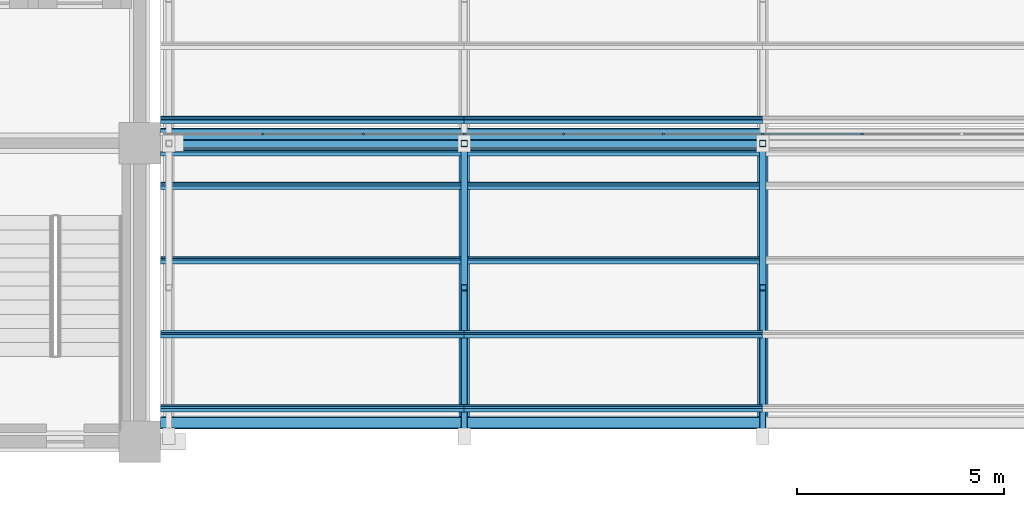
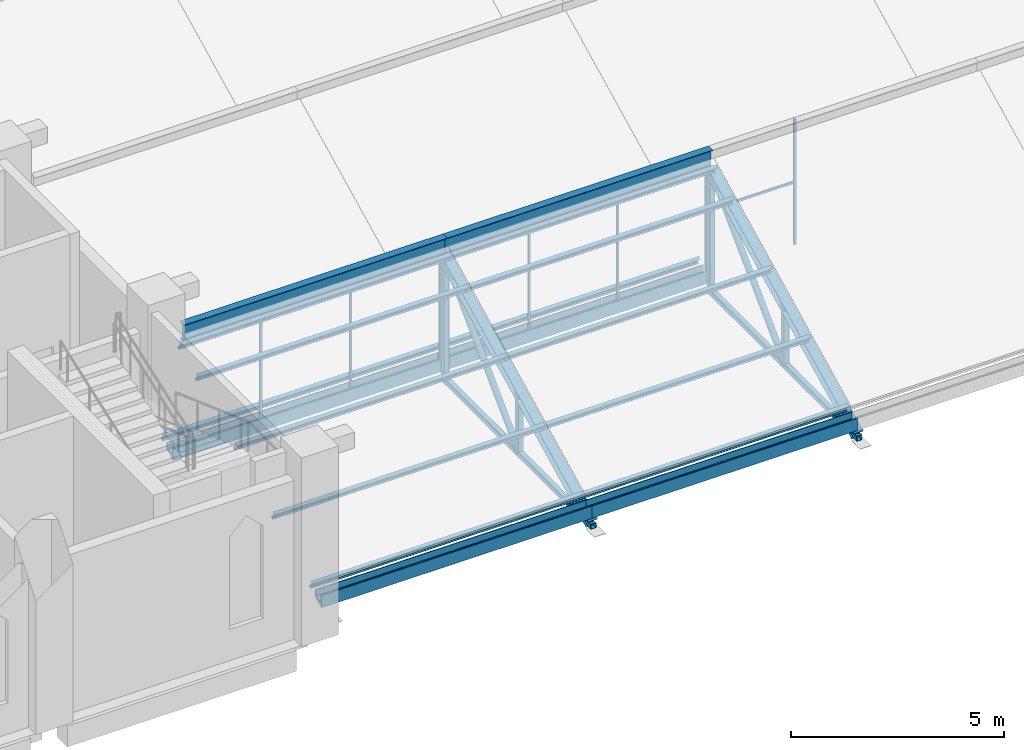
# One storey, part 9 of 83: 41 members, 3 elements without a shape of their own.
"""IFC4 building model written with IfcOpenShell, lengths in metres."""

import ifcopenshell
import ifcopenshell.guid

model = None  # the IFC model being written
_history = None  # IfcOwnerHistory: only IFC2X3 demands one
_inside = {}  # id of a spatial element -> (the spatial element, [elements in it])
_under = {}  # id of a project, library or spatial element -> (it, [spatial elements below it])
_declared = {}  # id of a project -> (the project, [libraries it declares])
_typed = {}  # id of a type object -> (the type object, [elements of that type])
_made_of = {}  # id of a material, layer set ... -> (it, [elements and type objects made of it])


def new_model(schema):
    """Start an empty IFC model of exactly this schema.

    Asked for "IFC4X3", IfcOpenShell would pick the latest addendum, in which some entities
    have other attributes; the version numbers below select the first issue.
    IFC2X3 requires an IfcOwnerHistory on every rooted entity: one is made here for all.
    """
    global model, _history
    if schema == "IFC4X3":
        model = ifcopenshell.file(schema_version=(4, 3, 0, 0))
    else:
        model = ifcopenshell.file(schema=schema)
    _inside.clear()
    _under.clear()
    _declared.clear()
    _typed.clear()
    _made_of.clear()
    _history = None
    if model.schema == "IFC2X3":
        org = make("IfcOrganization", Name="unknown")
        user = make(
            "IfcPersonAndOrganization",
            ThePerson=make("IfcPerson", FamilyName="unknown"),
            TheOrganization=org,
        )
        app = make(
            "IfcApplication",
            ApplicationDeveloper=org,
            Version="unknown",
            ApplicationFullName="unknown",
            ApplicationIdentifier="unknown",
        )
        _history = make(
            "IfcOwnerHistory",
            OwningUser=user,
            OwningApplication=app,
            ChangeAction="ADDED",
            CreationDate=0,
        )
    return model


def make(cls, **values):
    """One entity of the class cls with the attributes given. An attribute that is None is left unset."""
    return model.create_entity(
        cls, **{name: value for name, value in values.items() if value is not None}
    )


def rooted(cls, **values):
    """An entity with a GlobalId (a new one), such as an element, a storey or a relation."""
    return make(cls, GlobalId=ifcopenshell.guid.new(), OwnerHistory=_history, **values)


def si_unit(unit_type, name, prefix=None):
    """IfcSIUnit, for example si_unit("LENGTHUNIT", "METRE", prefix="MILLI")."""
    return make("IfcSIUnit", UnitType=unit_type, Prefix=prefix, Name=name)


def assignment(units):
    """IfcUnitAssignment: the units of a project."""
    return None if units is None else make("IfcUnitAssignment", Units=units)


def point(xyz):
    """IfcCartesianPoint."""
    return None if xyz is None else make("IfcCartesianPoint", Coordinates=xyz)


def direction(xyz):
    """IfcDirection."""
    return None if xyz is None else make("IfcDirection", DirectionRatios=xyz)


def frame(location, z_axis=None, x_axis=None):
    """IfcAxis2Placement3D, a coordinate frame: its origin and axes. An axis left out is left unset."""
    return make(
        "IfcAxis2Placement3D",
        Location=point(location),
        Axis=direction(z_axis),
        RefDirection=direction(x_axis),
    )


def frame_2d(location, x_axis=None):
    """IfcAxis2Placement2D, a coordinate frame in the plane: its origin and x axis."""
    return make(
        "IfcAxis2Placement2D", Location=point(location), RefDirection=direction(x_axis)
    )


def origin():
    """The frame at (0, 0, 0) with its axes left unset."""
    return frame((0.0, 0.0, 0.0))


def origin_2d():
    """The frame at (0, 0) in the plane with its x axis left unset."""
    return frame_2d((0.0, 0.0))


def place(relative_to, where):
    """IfcLocalPlacement: puts the frame where relative to a parent placement (None: the world)."""
    return make(
        "IfcLocalPlacement", PlacementRelTo=relative_to, RelativePlacement=where
    )


def context(
    kind, dimensions, precision=None, world=None, true_north=None, identifier=None
):
    """IfcGeometricRepresentationContext, for example the 3D "Model" context."""
    return make(
        "IfcGeometricRepresentationContext",
        ContextIdentifier=identifier,
        ContextType=kind,
        CoordinateSpaceDimension=dimensions,
        Precision=precision,
        WorldCoordinateSystem=world,
        TrueNorth=true_north,
    )


def subcontext(parent, identifier, kind, view, scale=None):
    """IfcGeometricRepresentationSubContext, for example "Body" below "Model"."""
    return make(
        "IfcGeometricRepresentationSubContext",
        ContextIdentifier=identifier,
        ContextType=kind,
        ParentContext=parent,
        TargetScale=scale,
        TargetView=view,
    )


def project(units=None, contexts=None):
    """IfcProject with its units and contexts."""
    return rooted(
        "IfcProject",
        Name="project",
        RepresentationContexts=contexts,
        UnitsInContext=assignment(units),
    )


def spatial(cls, under=None, at=None, **own):
    """A site, building, storey or space (cls), placed at a placement, below another one or the project."""
    s = rooted(cls, ObjectPlacement=at, **own)
    if under is not None:
        _under.setdefault(under.id(), (under, []))[1].append(s)
    return s


def polyline(points):
    """IfcPolyline through the points."""
    return make("IfcPolyline", Points=[point(p) for p in points])


def profile(cls, at=None, kind="AREA", **sizes):
    """A parametric profile (cls). Its sizes go by their IFC names, for example OverallWidth=200.0."""
    return make(cls, ProfileType=kind, Position=at, **sizes)


def rectangle(**sizes):
    """IfcRectangleProfileDef."""
    return profile("IfcRectangleProfileDef", **sizes)


def hollow_rectangle(**sizes):
    """IfcRectangleHollowProfileDef."""
    return profile("IfcRectangleHollowProfileDef", **sizes)


def hollow_circle(**sizes):
    """IfcCircleHollowProfileDef."""
    return profile("IfcCircleHollowProfileDef", **sizes)


def i_section(**sizes):
    """IfcIShapeProfileDef."""
    return profile("IfcIShapeProfileDef", **sizes)


def outline(outer, holes=None, kind="AREA"):
    """IfcArbitraryClosedProfileDef: a profile drawn as a closed curve; with holes, ...WithVoids."""
    if holes is None:
        return make("IfcArbitraryClosedProfileDef", ProfileType=kind, OuterCurve=outer)
    return make(
        "IfcArbitraryProfileDefWithVoids",
        ProfileType=kind,
        OuterCurve=outer,
        InnerCurves=holes,
    )


def extrude(swept, where, along, depth):
    """IfcExtrudedAreaSolid: the profile swept, set in the frame where, extruded along a direction by depth."""
    return make(
        "IfcExtrudedAreaSolid",
        SweptArea=swept,
        Position=where,
        ExtrudedDirection=direction(along),
        Depth=depth,
    )


def shape(context_of_items, identifier, shape_type, items):
    """IfcShapeRepresentation: the items that make up one representation, for example the "Body"."""
    return make(
        "IfcShapeRepresentation",
        ContextOfItems=context_of_items,
        RepresentationIdentifier=identifier,
        RepresentationType=shape_type,
        Items=items,
    )


def material(Name=None, Category=None):
    """IfcMaterial."""
    return make("IfcMaterial", Name=Name, Category=Category)


def material_profile(
    of_material, cross_section, Name=None, Category=None, Priority=None
):
    """IfcMaterialProfile: a cross section and its material."""
    return make(
        "IfcMaterialProfile",
        Name=Name,
        Material=of_material,
        Profile=cross_section,
        Priority=Priority,
        Category=Category,
    )


def profile_set(profiles, Name=None, composite=None):
    """IfcMaterialProfileSet."""
    return make(
        "IfcMaterialProfileSet",
        Name=Name,
        MaterialProfiles=profiles,
        CompositeProfile=composite,
    )


def made_of(thing, what):
    """Note that an element or type object is made of a material, layer set ...; save() writes the relation."""
    if what is not None:
        _made_of.setdefault(what.id(), (what, []))[1].append(thing)
    return thing


def type_object(cls, material=None, **own):
    """A type object (cls), such as IfcWallType, which elements share."""
    return made_of(rooted(cls, **own), material)


def element(
    cls,
    number,
    at=None,
    inside=None,
    cuts=None,
    type_object=None,
    material=None,
    context=None,
    identifier="Body",
    shape_type=None,
    held_by="IfcProductDefinitionShape",
    body=None,
    shapes=None,
    **own,
):
    """One element of the class cls, such as IfcWall. Its Tag is "e" and its number.

    at: its placement. inside: the storey or other place that contains it. cuts: it is an
    opening in that element (IfcRelVoidsElement). A single representation is given by context,
    identifier, shape_type and body (its items); several are given by shapes. held_by: the class
    of the entity that holds the representations. save() writes the other relations.
    """
    e = rooted(cls, Tag="e%d" % number, ObjectPlacement=at, **own)
    if body is not None:
        shapes = [shape(context, identifier, shape_type, body)]
    if shapes is not None:
        e.Representation = make(held_by, Representations=shapes)
    if inside is not None:
        _inside.setdefault(inside.id(), (inside, []))[1].append(e)
    if cuts is not None:
        rooted(
            "IfcRelVoidsElement", RelatingBuildingElement=cuts, RelatedOpeningElement=e
        )
    if type_object is not None:
        _typed.setdefault(type_object.id(), (type_object, []))[1].append(e)
    return made_of(e, material)


def aggregate(whole, parts):
    """IfcRelAggregates: a whole, such as a stair, and the parts it consists of."""
    return rooted("IfcRelAggregates", RelatingObject=whole, RelatedObjects=parts)


def save(model, path):
    """Write the relations noted so far, then the file.

    IfcRelAggregates (storeys below a building ...), IfcRelContainedInSpatialStructure (elements
    in a storey), IfcRelDefinesByType, IfcRelAssociatesMaterial and IfcRelDeclares: one each for
    every whole, place, type object, material and project.
    """
    for whole, parts in _under.values():
        aggregate(whole, parts)
    for where, things in _inside.values():
        rooted(
            "IfcRelContainedInSpatialStructure",
            RelatedElements=things,
            RelatingStructure=where,
        )
    for kind, things in _typed.values():
        rooted("IfcRelDefinesByType", RelatedObjects=things, RelatingType=kind)
    for what, things in _made_of.values():
        rooted("IfcRelAssociatesMaterial", RelatedObjects=things, RelatingMaterial=what)
    for by, libraries in _declared.values():
        rooted("IfcRelDeclares", RelatingContext=by, RelatedDefinitions=libraries)
    model.write(path)


model = new_model("IFC4")

# Units and contexts
model_context = context("Model", 3, precision=1e-05, world=origin(), true_north=direction((0.0, 1.0)))
body_context = subcontext(model_context, "Body", "Model", "MODEL_VIEW")
ifc_project = project(units=[si_unit("LENGTHUNIT", "METRE"), si_unit("AREAUNIT", "SQUARE_METRE"), si_unit("VOLUMEUNIT", "CUBIC_METRE"), si_unit("PLANEANGLEUNIT", "RADIAN"), si_unit("MASSUNIT", "GRAM", prefix="KILO")], contexts=[model_context])

# Site, building, storey
site_placement = place(None, origin())
site = spatial("IfcSite", under=ifc_project, at=site_placement, CompositionType="ELEMENT")
building_placement = place(site_placement, origin())
building = spatial("IfcBuilding", under=site, at=building_placement, Name="Silangan Lancet Faculty of Sciences", CompositionType="ELEMENT")
storey_placement = place(building_placement, frame((0.0, 0.0, 11.39990234375)))
storey = spatial("IfcBuildingStorey", under=building, at=storey_placement, Name="L02", CompositionType="ELEMENT", Elevation=11.39990234375)

# Members
ifc_material_1 = material(Name="Steel SS400", Category="steel")
ifc_material_profile_1 = material_profile(ifc_material_1, i_section(OverallWidth=0.199951171875, OverallDepth=0.5, WebThickness=0.010009765625, FlangeThickness=0.01611328125, FilletRadius=0.02001953125, at=origin_2d()), Name="H 500x200x10x16")
ifc_profile_set_1 = profile_set([ifc_material_profile_1], Name="Steel SS400")
member_type_1 = type_object("IfcMemberType", Name="Exposed ridge beam H 500x200x10x16", PredefinedType="MEMBER", material=ifc_profile_set_1)
member_1_placement = place(storey_placement, frame((29.5, 7.191650390625, 3.9326171875), z_axis=(1.0, 0.0, 0.0), x_axis=(0.0, 1.0, 0.0)))
element("IfcMember", 1, at=member_1_placement, inside=storey, type_object=member_type_1, Name="Exposed ridge beam SAB-1-1", PredefinedType="MEMBER", context=body_context, shape_type="SweptSolid", body=[
    extrude(i_section(OverallWidth=0.199951171875, OverallDepth=0.5, WebThickness=0.010009765625, FlangeThickness=0.01611328125, FilletRadius=0.02001953125, at=origin_2d()), origin(), (0.0, 0.0, 1.0), 7.125),
])
member_2_placement = place(storey_placement, frame((36.625, 7.191650390625, 3.9326171875), z_axis=(1.0, 0.0, 0.0), x_axis=(0.0, 1.0, 0.0)))
element("IfcMember", 2, at=member_2_placement, inside=storey, type_object=member_type_1, Name="Exposed ridge beam SAB-1-2", PredefinedType="MEMBER", context=body_context, shape_type="SweptSolid", body=[
    extrude(i_section(OverallWidth=0.199951171875, OverallDepth=0.5, WebThickness=0.010009765625, FlangeThickness=0.01611328125, FilletRadius=0.02001953125, at=origin_2d()), origin(), (0.0, 0.0, 1.0), 7.199951171875),
])

# Curtain wall, members
ifc_material_2 = material(Name="Aluminium and laminated glass", Category="aluminium")
curtain_wall_type = type_object("IfcCurtainWallType", Name="North light glazing system", PredefinedType="NOTDEFINED", material=ifc_material_2)
curtain_wall_1_placement = place(storey_placement, origin())
curtain_wall_1 = element("IfcCurtainWall", 3, at=curtain_wall_1_placement, inside=storey, type_object=curtain_wall_type, Name="North light glazing SAB-1-1", PredefinedType="NOTDEFINED")
ifc_material_3 = material(Name="Aluminium 6063-T6", Category="aluminium")
ifc_material_profile_2 = material_profile(ifc_material_3, rectangle(XDim=0.06005859375, YDim=0.050048828125, at=origin_2d()), Name="AL 60x50")
ifc_profile_set_2 = profile_set([ifc_material_profile_2], Name="Aluminium 6063-T6")
member_type_2 = type_object("IfcMemberType", Name="North light mullion 60x50", PredefinedType="MULLION", material=ifc_profile_set_2)
member_3_placement = place(storey_placement, frame((31.76171875, 7.416748046875, 0.4423828125), z_axis=(0.0, 0.0, 1.0), x_axis=(1.0, 0.0, 0.0)))
member_3 = element("IfcMember", 4, at=member_3_placement, type_object=member_type_2, Name="North light mullion SAB-1-1 2", PredefinedType="MULLION", context=body_context, shape_type="SweptSolid", body=[
    extrude(rectangle(XDim=0.06005859375, YDim=0.050048828125, at=origin_2d()), origin(), (0.0, 0.0, 1.0), 3.595947265625),
])
member_4_placement = place(storey_placement, frame((34.193359375, 7.416748046875, 0.4423828125), z_axis=(0.0, 0.0, 1.0), x_axis=(1.0, 0.0, 0.0)))
member_4 = element("IfcMember", 5, at=member_4_placement, type_object=member_type_2, Name="North light mullion SAB-1-1 3", PredefinedType="MULLION", context=body_context, shape_type="SweptSolid", body=[
    extrude(rectangle(XDim=0.06005859375, YDim=0.050048828125, at=origin_2d()), origin(), (0.0, 0.0, 1.0), 3.595947265625),
])

curtain_wall_2_placement = place(storey_placement, origin())
curtain_wall_2 = element("IfcCurtainWall", 6, at=curtain_wall_2_placement, inside=storey, type_object=curtain_wall_type, Name="North light glazing SAB-1-2", PredefinedType="NOTDEFINED")
member_5_placement = place(storey_placement, frame((36.625, 7.416748046875, 0.4423828125), z_axis=(0.0, 0.0, 1.0), x_axis=(1.0, 0.0, 0.0)))
member_5 = element("IfcMember", 7, at=member_5_placement, type_object=member_type_2, Name="North light mullion SAB-1-2 1", PredefinedType="MULLION", context=body_context, shape_type="SweptSolid", body=[
    extrude(rectangle(XDim=0.06005859375, YDim=0.050048828125, at=origin_2d()), origin(), (0.0, 0.0, 1.0), 3.595947265625),
])
member_6_placement = place(storey_placement, frame((39.02490234375, 7.416748046875, 0.4423828125), z_axis=(0.0, 0.0, 1.0), x_axis=(1.0, 0.0, 0.0)))
member_6 = element("IfcMember", 8, at=member_6_placement, type_object=member_type_2, Name="North light mullion SAB-1-2 2", PredefinedType="MULLION", context=body_context, shape_type="SweptSolid", body=[
    extrude(rectangle(XDim=0.06005859375, YDim=0.050048828125, at=origin_2d()), origin(), (0.0, 0.0, 1.0), 3.595947265625),
])
member_7_placement = place(storey_placement, frame((41.425048828125, 7.416748046875, 0.4423828125), z_axis=(0.0, 0.0, 1.0), x_axis=(1.0, 0.0, 0.0)))
member_7 = element("IfcMember", 9, at=member_7_placement, type_object=member_type_2, Name="North light mullion SAB-1-2 3", PredefinedType="MULLION", context=body_context, shape_type="SweptSolid", body=[
    extrude(rectangle(XDim=0.06005859375, YDim=0.050048828125, at=origin_2d()), origin(), (0.0, 0.0, 1.0), 3.595947265625),
])

curtain_wall_3_placement = place(storey_placement, origin())
curtain_wall_3 = element("IfcCurtainWall", 10, at=curtain_wall_3_placement, inside=storey, type_object=curtain_wall_type, Name="North light glazing SAB-1-3", PredefinedType="NOTDEFINED")
member_8_placement = place(storey_placement, frame((43.824951171875, 7.416748046875, 0.4423828125), z_axis=(0.0, 0.0, 1.0), x_axis=(1.0, 0.0, 0.0)))
member_8 = element("IfcMember", 11, at=member_8_placement, type_object=member_type_2, Name="North light mullion SAB-1-3 1", PredefinedType="MULLION", context=body_context, shape_type="SweptSolid", body=[
    extrude(rectangle(XDim=0.06005859375, YDim=0.050048828125, at=origin_2d()), origin(), (0.0, 0.0, 1.0), 3.595947265625),
])
member_9_placement = place(storey_placement, frame((46.22509765625, 7.416748046875, 0.4423828125), z_axis=(0.0, 0.0, 1.0), x_axis=(1.0, 0.0, 0.0)))
member_9 = element("IfcMember", 12, at=member_9_placement, type_object=member_type_2, Name="North light mullion SAB-1-3 2", PredefinedType="MULLION", context=body_context, shape_type="SweptSolid", body=[
    extrude(rectangle(XDim=0.06005859375, YDim=0.050048828125, at=origin_2d()), origin(), (0.0, 0.0, 1.0), 3.595947265625),
])

# Member
ifc_material_4 = material(Name="Aluminium 6063-T6", Category="aluminium")
ifc_material_profile_3 = material_profile(ifc_material_4, rectangle(XDim=0.050048828125, YDim=0.06005859375, at=origin_2d()), Name="AL 50x60")
ifc_profile_set_3 = profile_set([ifc_material_profile_3], Name="Aluminium 6063-T6")
member_type_3 = type_object("IfcMemberType", Name="North light transom 50x60", PredefinedType="USERDEFINED", material=ifc_profile_set_3)
member_10_placement = place(storey_placement, frame((31.791748046875, 7.416748046875, 2.240478515625), z_axis=(1.0, 0.0, 0.0), x_axis=(0.0, 1.0, 0.0)))
member_10 = element("IfcMember", 13, at=member_10_placement, type_object=member_type_3, Name="North light transom SAB-1-1 2", ObjectType="TRANSOM", PredefinedType="USERDEFINED", context=body_context, shape_type="SweptSolid", body=[
    extrude(rectangle(XDim=0.050048828125, YDim=0.06005859375, at=origin_2d()), origin(), (0.0, 0.0, 1.0), 2.37158203125),
])

member_11_placement = place(storey_placement, frame((34.223388671875, 7.416748046875, 2.240478515625), z_axis=(1.0, 0.0, 0.0), x_axis=(0.0, 1.0, 0.0)))
member_11 = element("IfcMember", 14, at=member_11_placement, type_object=member_type_3, Name="North light transom SAB-1-1 3", ObjectType="TRANSOM", PredefinedType="USERDEFINED", context=body_context, shape_type="SweptSolid", body=[
    extrude(rectangle(XDim=0.050048828125, YDim=0.06005859375, at=origin_2d()), origin(), (0.0, 0.0, 1.0), 2.37158203125),
])

aggregate(curtain_wall_1, [member_3, member_4, member_10, member_11])

member_12_placement = place(storey_placement, frame((36.655029296875, 7.416748046875, 2.240478515625), z_axis=(1.0, 0.0, 0.0), x_axis=(0.0, 1.0, 0.0)))
member_12 = element("IfcMember", 15, at=member_12_placement, type_object=member_type_3, Name="North light transom SAB-1-2 1", ObjectType="TRANSOM", PredefinedType="USERDEFINED", context=body_context, shape_type="SweptSolid", body=[
    extrude(rectangle(XDim=0.050048828125, YDim=0.06005859375, at=origin_2d()), origin(), (0.0, 0.0, 1.0), 2.340087890625),
])

member_13_placement = place(storey_placement, frame((39.054931640625, 7.416748046875, 2.240478515625), z_axis=(1.0, 0.0, 0.0), x_axis=(0.0, 1.0, 0.0)))
member_13 = element("IfcMember", 16, at=member_13_placement, type_object=member_type_3, Name="North light transom SAB-1-2 2", ObjectType="TRANSOM", PredefinedType="USERDEFINED", context=body_context, shape_type="SweptSolid", body=[
    extrude(rectangle(XDim=0.050048828125, YDim=0.06005859375, at=origin_2d()), origin(), (0.0, 0.0, 1.0), 2.340087890625),
])

member_14_placement = place(storey_placement, frame((41.455078125, 7.416748046875, 2.240478515625), z_axis=(1.0, 0.0, 0.0), x_axis=(0.0, 1.0, 0.0)))
member_14 = element("IfcMember", 17, at=member_14_placement, type_object=member_type_3, Name="North light transom SAB-1-2 3", ObjectType="TRANSOM", PredefinedType="USERDEFINED", context=body_context, shape_type="SweptSolid", body=[
    extrude(rectangle(XDim=0.050048828125, YDim=0.06005859375, at=origin_2d()), origin(), (0.0, 0.0, 1.0), 2.33984375),
])

aggregate(curtain_wall_2, [member_5, member_6, member_7, member_12, member_13, member_14])

member_15_placement = place(storey_placement, frame((43.85498046875, 7.416748046875, 2.240478515625), z_axis=(1.0, 0.0, 0.0), x_axis=(0.0, 1.0, 0.0)))
member_15 = element("IfcMember", 18, at=member_15_placement, type_object=member_type_3, Name="North light transom SAB-1-3 1", ObjectType="TRANSOM", PredefinedType="USERDEFINED", context=body_context, shape_type="SweptSolid", body=[
    extrude(rectangle(XDim=0.050048828125, YDim=0.06005859375, at=origin_2d()), origin(), (0.0, 0.0, 1.0), 2.340087890625),
])

aggregate(curtain_wall_3, [member_8, member_9, member_15])

# Members
ifc_material_5 = material(Name="Steel SS400", Category="steel")
ifc_material_profile_4 = material_profile(ifc_material_5, i_section(OverallWidth=0.10009765625, OverallDepth=0.199951171875, WebThickness=0.005615234375, FlangeThickness=0.008056640625, FilletRadius=0.008056640625, at=origin_2d()), Name="H 200x100x5.5x8")
ifc_profile_set_4 = profile_set([ifc_material_profile_4], Name="Steel SS400")
member_type_4 = type_object("IfcMemberType", Name="Sheeting purlin H 200x100x5.5x8", PredefinedType="PURLIN", material=ifc_profile_set_4)
for number, where, z_axis, x_axis, name in (
    (19, (29.300048828125, 0.80029296875, 0.6318359375), (1.0, 0.0, 0.0), (0.0, 0.894427192382, 0.447213592736), "Sheeting purlin SAB-1-1 1"),
    (20, (29.300048828125, 2.589111328125, 1.526123046875), (1.0, 0.0, 0.0), (0.0, 0.894427192382, 0.447213592736), "Sheeting purlin SAB-1-1 2"),
    (21, (29.300048828125, 4.3779296875, 2.420654296875), (1.0, 0.0, 0.0), (0.0, 0.894427192382, 0.447213592736), "Sheeting purlin SAB-1-1 3"),
    (22, (29.300048828125, 6.166748046875, 3.31494140625), (1.0, 0.0, 0.0), (0.0, 0.894427192382, 0.447213592736), "Sheeting purlin SAB-1-1 4"),
    (23, (29.300048828125, 6.983642578125, 3.723388671875), (1.0, 0.0, 0.0), (0.0, 0.894427192382, 0.447213592736), "Sheeting purlin SAB-1-1 5"),
    (24, (29.300048828125, 7.761962890625, 0.6318359375), (1.0, 0.0, 0.0), (0.0, 0.894427192382, 0.447213592736), "Sheeting purlin SAB-2-1 1"),
):
    element("IfcMember", number, at=place(storey_placement, frame(where, z_axis=z_axis, x_axis=x_axis)), inside=storey, type_object=member_type_4, Name=name, PredefinedType="PURLIN", context=body_context, shape_type="SweptSolid", body=[
        extrude(i_section(OverallWidth=0.10009765625, OverallDepth=0.199951171875, WebThickness=0.005615234375, FlangeThickness=0.008056640625, FilletRadius=0.008056640625, at=origin_2d()), origin(), (0.0, 0.0, 1.0), 7.324951171875),
    ])
for number, where, z_axis, x_axis, name in (
    (25, (36.625, 0.80029296875, 0.6318359375), (1.0, 0.0, 0.0), (0.0, 0.894427192382, 0.447213592736), "Sheeting purlin SAB-1-2 1"),
    (26, (36.625, 2.589111328125, 1.526123046875), (1.0, 0.0, 0.0), (0.0, 0.894427192382, 0.447213592736), "Sheeting purlin SAB-1-2 2"),
    (27, (36.625, 4.3779296875, 2.420654296875), (1.0, 0.0, 0.0), (0.0, 0.894427192382, 0.447213592736), "Sheeting purlin SAB-1-2 3"),
    (28, (36.625, 6.166748046875, 3.31494140625), (1.0, 0.0, 0.0), (0.0, 0.894427192382, 0.447213592736), "Sheeting purlin SAB-1-2 4"),
    (29, (36.625, 6.983642578125, 3.723388671875), (1.0, 0.0, 0.0), (0.0, 0.894427192382, 0.447213592736), "Sheeting purlin SAB-1-2 5"),
    (30, (36.625, 7.761962890625, 0.6318359375), (1.0, 0.0, 0.0), (0.0, 0.894427192382, 0.447213592736), "Sheeting purlin SAB-2-2 1"),
):
    element("IfcMember", number, at=place(storey_placement, frame(where, z_axis=z_axis, x_axis=x_axis)), inside=storey, type_object=member_type_4, Name=name, PredefinedType="PURLIN", context=body_context, shape_type="SweptSolid", body=[
        extrude(i_section(OverallWidth=0.10009765625, OverallDepth=0.199951171875, WebThickness=0.005615234375, FlangeThickness=0.008056640625, FilletRadius=0.008056640625, at=origin_2d()), origin(), (0.0, 0.0, 1.0), 7.199951171875),
    ])
ifc_material_6 = material(Name="Steel STKR400", Category="steel")
ifc_material_profile_5 = material_profile(ifc_material_6, hollow_rectangle(XDim=0.14990234375, YDim=0.14990234375, WallThickness=0.009033203125, InnerFilletRadius=0.009033203125, OuterFilletRadius=0.01806640625, at=origin_2d()), Name="SHS 150x150x9.0")
ifc_profile_set_5 = profile_set([ifc_material_profile_5], Name="Steel STKR400")
member_type_5 = type_object("IfcMemberType", Name="Truss bottom chord SHS 150x150x9.0", PredefinedType="CHORD", material=ifc_profile_set_5)
for number, where, z_axis, x_axis, name in (
    (31, (36.625, 0.22998046875, 0.09521484375), (0.0, 1.0, 0.0), (-1.0, 0.0, 0.0), "Truss 2 bottom chord 1"),
    (32, (43.824951171875, 0.22998046875, 0.09521484375), (0.0, 1.0, 0.0), (-1.0, 0.0, 0.0), "Truss 3 bottom chord 1"),
):
    element("IfcMember", number, at=place(storey_placement, frame(where, z_axis=z_axis, x_axis=x_axis)), inside=storey, type_object=member_type_5, Name=name, PredefinedType="CHORD", context=body_context, shape_type="SweptSolid", body=[
        extrude(hollow_rectangle(XDim=0.14990234375, YDim=0.14990234375, WallThickness=0.009033203125, InnerFilletRadius=0.009033203125, OuterFilletRadius=0.01806640625, at=origin_2d()), origin(), (0.0, 0.0, 1.0), 6.961669921875),
    ])
ifc_material_7 = material(Name="Steel STK400", Category="steel")
ifc_material_profile_6 = material_profile(ifc_material_7, hollow_circle(Radius=0.08251953125, WallThickness=0.0048828125, at=origin_2d()), Name="CHS 165.2x5.0")
ifc_profile_set_6 = profile_set([ifc_material_profile_6], Name="Steel STK400")
member_type_6 = type_object("IfcMemberType", Name="Truss diagonal CHS 165.2x5.0", PredefinedType="BRACE", material=ifc_profile_set_6)
for number, where, z_axis, x_axis, name in (
    (33, (36.625, 3.710693359375, 0.09521484375), (0.0, 0.707131578465, 0.707081983039), (-1.0, 0.0, 0.0), "Truss 2 diagonal 1"),
    (34, (43.824951171875, 3.710693359375, 0.09521484375), (0.0, 0.707131578465, 0.707081983039), (-1.0, 0.0, 0.0), "Truss 3 diagonal 1"),
):
    element("IfcMember", number, at=place(storey_placement, frame(where, z_axis=z_axis, x_axis=x_axis)), inside=storey, type_object=member_type_6, Name=name, PredefinedType="BRACE", context=body_context, shape_type="SweptSolid", body=[
        extrude(hollow_circle(Radius=0.08251953125, WallThickness=0.0048828125, at=origin_2d()), origin(), (0.0, 0.0, 1.0), 4.922607421875),
    ])
ifc_material_8 = material(Name="Steel STKR400", Category="steel")
ifc_material_profile_7 = material_profile(ifc_material_8, hollow_rectangle(XDim=0.14990234375, YDim=0.14990234375, WallThickness=0.006103515625, InnerFilletRadius=0.006103515625, OuterFilletRadius=0.011962890625, at=origin_2d()), Name="SHS 150x150x6.0")
ifc_profile_set_7 = profile_set([ifc_material_profile_7], Name="Steel STKR400")
member_type_7 = type_object("IfcMemberType", Name="Truss post SHS 150x150x6.0", PredefinedType="POST", material=ifc_profile_set_7)
member_16_placement = place(storey_placement, frame((36.625, 7.191650390625, 0.09521484375), z_axis=(0.0, 0.0, 1.0), x_axis=(1.0, 0.0, 0.0)))
element("IfcMember", 35, at=member_16_placement, inside=storey, type_object=member_type_7, Name="Truss 2 riser post 1", PredefinedType="POST", context=body_context, shape_type="SweptSolid", body=[
    extrude(hollow_rectangle(XDim=0.14990234375, YDim=0.14990234375, WallThickness=0.006103515625, InnerFilletRadius=0.006103515625, OuterFilletRadius=0.011962890625, at=origin_2d()), origin(), (0.0, 0.0, 1.0), 3.480712890625),
])
member_17_placement = place(storey_placement, frame((36.625, 3.710693359375, 0.09521484375), z_axis=(0.0, 0.0, 1.0), x_axis=(1.0, 0.0, 0.0)))
element("IfcMember", 36, at=member_17_placement, inside=storey, type_object=member_type_7, Name="Truss 2 mid post 1", PredefinedType="POST", context=body_context, shape_type="SweptSolid", body=[
    extrude(hollow_rectangle(XDim=0.14990234375, YDim=0.14990234375, WallThickness=0.006103515625, InnerFilletRadius=0.006103515625, OuterFilletRadius=0.011962890625, at=origin_2d()), origin(), (0.0, 0.0, 1.0), 1.740234375),
])
member_18_placement = place(storey_placement, frame((43.824951171875, 7.191650390625, 0.09521484375), z_axis=(0.0, 0.0, 1.0), x_axis=(1.0, 0.0, 0.0)))
element("IfcMember", 37, at=member_18_placement, inside=storey, type_object=member_type_7, Name="Truss 3 riser post 1", PredefinedType="POST", context=body_context, shape_type="SweptSolid", body=[
    extrude(hollow_rectangle(XDim=0.14990234375, YDim=0.14990234375, WallThickness=0.006103515625, InnerFilletRadius=0.006103515625, OuterFilletRadius=0.011962890625, at=origin_2d()), origin(), (0.0, 0.0, 1.0), 3.480712890625),
])
member_19_placement = place(storey_placement, frame((43.824951171875, 3.710693359375, 0.09521484375), z_axis=(0.0, 0.0, 1.0), x_axis=(1.0, 0.0, 0.0)))
element("IfcMember", 38, at=member_19_placement, inside=storey, type_object=member_type_7, Name="Truss 3 mid post 1", PredefinedType="POST", context=body_context, shape_type="SweptSolid", body=[
    extrude(hollow_rectangle(XDim=0.14990234375, YDim=0.14990234375, WallThickness=0.006103515625, InnerFilletRadius=0.006103515625, OuterFilletRadius=0.011962890625, at=origin_2d()), origin(), (0.0, 0.0, 1.0), 1.740234375),
])
ifc_material_9 = material(Name="Steel SS400", Category="steel")
ifc_material_profile_8 = material_profile(ifc_material_9, i_section(OverallWidth=0.25, OverallDepth=0.25, WebThickness=0.009033203125, FlangeThickness=0.013916015625, FilletRadius=0.01611328125, at=origin_2d()), Name="H 250x250x9x14")
ifc_profile_set_8 = profile_set([ifc_material_profile_8], Name="Steel SS400")
member_type_8 = type_object("IfcMemberType", Name="Truss top chord H 250x250x9x14", PredefinedType="CHORD", material=ifc_profile_set_8)
for number, where, z_axis, x_axis, name in (
    (39, (36.625, 0.310546875, 0.13525390625), (0.0, 0.894420844124, 0.447226289027), (-1.0, 0.0, 0.0), "Truss 2 top chord 1"),
    (40, (43.824951171875, 0.310546875, 0.13525390625), (0.0, 0.894420844124, 0.447226289027), (-1.0, 0.0, 0.0), "Truss 3 top chord 1"),
):
    element("IfcMember", number, at=place(storey_placement, frame(where, z_axis=z_axis, x_axis=x_axis)), inside=storey, type_object=member_type_8, Name=name, PredefinedType="CHORD", context=body_context, shape_type="SweptSolid", body=[
        extrude(i_section(OverallWidth=0.25, OverallDepth=0.25, WebThickness=0.009033203125, FlangeThickness=0.013916015625, FilletRadius=0.01611328125, at=origin_2d()), origin(), (0.0, 0.0, 1.0), 7.693359375),
    ])
ifc_material_10 = material(Name="Stainless steel", Category="steel")
ifc_material_profile_9 = material_profile(ifc_material_10, outline(polyline([(-0.14990234375, 0.0), (0.14990234375, 0.14990234375), (0.14990234375, 0.35009765625), (0.1298828125, 0.35009765625), (0.1298828125, 0.169921875), (-0.1298828125, 0.169921875), (-0.1298828125, 0.35009765625), (-0.14990234375, 0.35009765625), (-0.14990234375, 0.0)])), Name="valley gutter")
ifc_profile_set_9 = profile_set([ifc_material_profile_9], Name="Stainless steel")
member_type_9 = type_object("IfcMemberType", Name="Valley gutter 300 wide", PredefinedType="USERDEFINED", material=ifc_profile_set_9)
for number, where, z_axis, x_axis, name in (
    (41, (29.300048828125, 0.455078125, 0.2724609375), (1.0, 0.0, 0.0), (0.0, 1.0, 0.0), "Valley gutter SAB-1-1"),
    (42, (29.300048828125, 7.416748046875, 0.2724609375), (1.0, 0.0, 0.0), (0.0, 1.0, 0.0), "Valley gutter SAB-2-1"),
):
    element("IfcMember", number, at=place(storey_placement, frame(where, z_axis=z_axis, x_axis=x_axis)), inside=storey, type_object=member_type_9, Name=name, ObjectType="GUTTER", PredefinedType="USERDEFINED", context=body_context, shape_type="SweptSolid", body=[
        extrude(outline(polyline([(-0.14990234375, 0.0), (0.14990234375, 0.14990234375), (0.14990234375, 0.35009765625), (0.1298828125, 0.35009765625), (0.1298828125, 0.169921875), (-0.1298828125, 0.169921875), (-0.1298828125, 0.35009765625), (-0.14990234375, 0.35009765625), (-0.14990234375, 0.0)])), origin(), (0.0, 0.0, 1.0), 7.324951171875),
    ])
for number, where, z_axis, x_axis, name in (
    (43, (36.625, 0.455078125, 0.2724609375), (1.0, 0.0, 0.0), (0.0, 1.0, 0.0), "Valley gutter SAB-1-2"),
    (44, (36.625, 7.416748046875, 0.2724609375), (1.0, 0.0, 0.0), (0.0, 1.0, 0.0), "Valley gutter SAB-2-2"),
):
    element("IfcMember", number, at=place(storey_placement, frame(where, z_axis=z_axis, x_axis=x_axis)), inside=storey, type_object=member_type_9, Name=name, ObjectType="GUTTER", PredefinedType="USERDEFINED", context=body_context, shape_type="SweptSolid", body=[
        extrude(outline(polyline([(-0.14990234375, 0.0), (0.14990234375, 0.14990234375), (0.14990234375, 0.35009765625), (0.1298828125, 0.35009765625), (0.1298828125, 0.169921875), (-0.1298828125, 0.169921875), (-0.1298828125, 0.35009765625), (-0.14990234375, 0.35009765625), (-0.14990234375, 0.0)])), origin(), (0.0, 0.0, 1.0), 7.199951171875),
    ])

save(model, "model.ifc")
